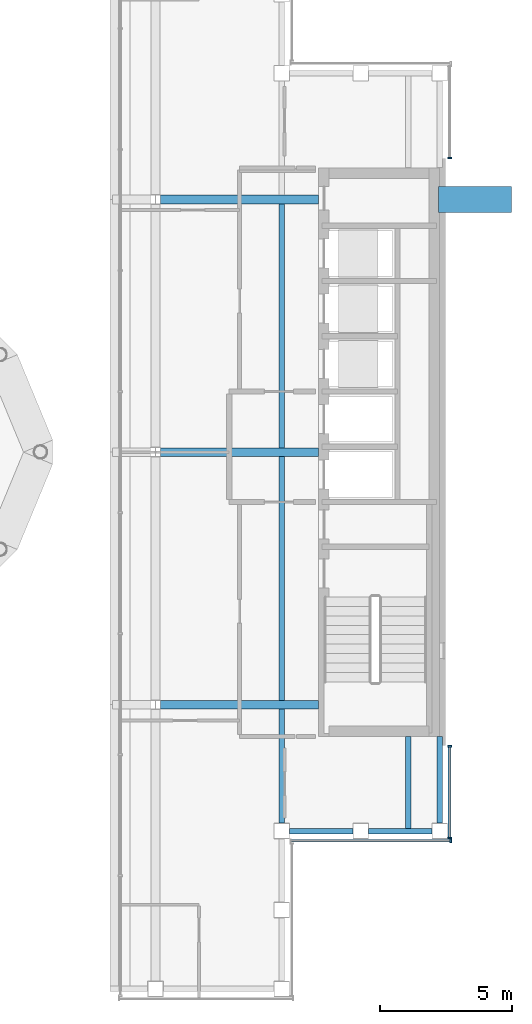
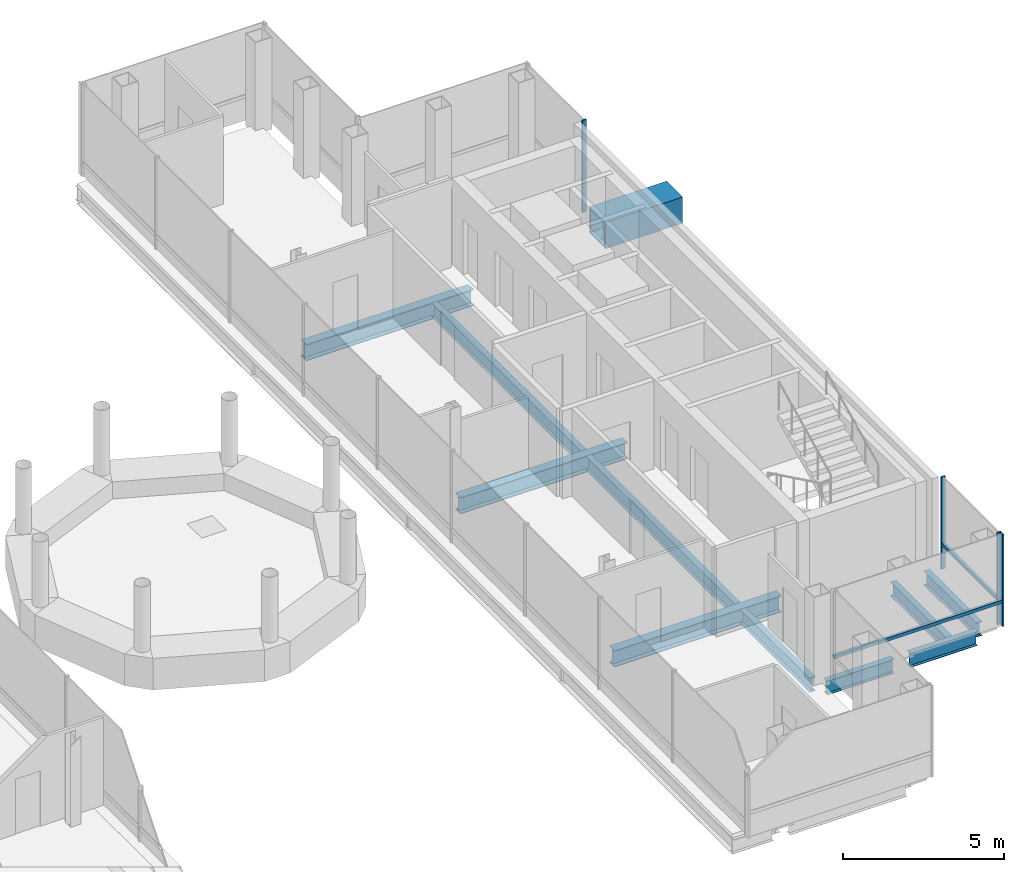
# One storey, part 7 of 16: 11 beams, 6 members, 3 elements without a shape of their own.
"""IFC4 building model written with IfcOpenShell, lengths in metres."""

from ifc_helpers import new_model, si_unit, direction, frame, origin, origin_2d, place, context, subcontext, project, spatial, rectangle, hollow_rectangle, i_section, extrude, material, material_profile, profile_set, type_object, element, aggregate, save


model = new_model("IFC4")

# Units and contexts
model_context = context("Model", 3, precision=1e-05, world=origin(), true_north=direction((0.0, 1.0)))
body_context = subcontext(model_context, "Body", "Model", "MODEL_VIEW")
ifc_project = project(units=[si_unit("LENGTHUNIT", "METRE"), si_unit("AREAUNIT", "SQUARE_METRE"), si_unit("VOLUMEUNIT", "CUBIC_METRE"), si_unit("PLANEANGLEUNIT", "RADIAN"), si_unit("MASSUNIT", "GRAM", prefix="KILO")], contexts=[model_context])

# Site, building, storey
site_placement = place(None, origin())
site = spatial("IfcSite", under=ifc_project, at=site_placement, CompositionType="ELEMENT")
building_placement = place(site_placement, origin())
building = spatial("IfcBuilding", under=site, at=building_placement, Name="Cobrizo Arcos Hotel Tower", CompositionType="ELEMENT")
storey_placement = place(building_placement, frame((0.0, 0.0, 272.5)))
storey = spatial("IfcBuildingStorey", under=building, at=storey_placement, Name="L72", CompositionType="ELEMENT", Elevation=272.5)

# Beam
ifc_material_1 = material(Name="Steel ASTM A572 Grade 50", Category="steel")
ifc_material_profile_1 = material_profile(ifc_material_1, hollow_rectangle(XDim=1.0, YDim=1.0, WallThickness=0.06005859375, at=origin_2d()), Name="BOX 1000X1000X60")
ifc_profile_set_1 = profile_set([ifc_material_profile_1], Name="Steel ASTM A572 Grade 50")
beam_type_1 = type_object("IfcBeamType", Name="BOX 1000X1000X60 brace connector strut", PredefinedType="BEAM", material=ifc_profile_set_1)
beam_1_placement = place(storey_placement, frame((20.35009765625, 9.60009765625, 0.5), z_axis=(1.0, 0.0, 0.0), x_axis=(0.0, 1.0, 0.0)))
element("IfcBeam", 1, at=beam_1_placement, inside=storey, type_object=beam_type_1, Name="Perimeter brace stub BS1, zone Z5, east face, offset +9.60 m, L72", PredefinedType="BEAM", context=body_context, shape_type="SweptSolid", body=[
    extrude(hollow_rectangle(XDim=1.0, YDim=1.0, WallThickness=0.06005859375, at=origin_2d()), origin(), (0.0, 0.0, 1.0), 2.77001953125),
])

# Curtain wall, member
ifc_material_2 = material(Name="Aluminium 6063-T6 anodised bronze", Category="aluminium")
curtain_wall_type = type_object("IfcCurtainWallType", Name="CW-A guest facade", PredefinedType="NOTDEFINED", material=ifc_material_2)
curtain_wall_1_placement = place(storey_placement, origin())
curtain_wall_1 = element("IfcCurtainWall", 2, at=curtain_wall_1_placement, inside=storey, type_object=curtain_wall_type, Name="CW-A L72 S face", PredefinedType="NOTDEFINED")
ifc_material_profile_2 = material_profile(ifc_material_2, rectangle(XDim=0.14990234375, YDim=0.06005859375, at=origin_2d()), Name="CW-A mullion 150x60")
ifc_profile_set_2 = profile_set([ifc_material_profile_2], Name="Aluminium 6063-T6 anodised bronze")
member_type_1 = type_object("IfcMemberType", Name="CW-A mullion 150x60", PredefinedType="MULLION", material=ifc_profile_set_2)
member_1_placement = place(storey_placement, frame((20.820068359375, -14.77490234375, 0.0), z_axis=(0.0, 0.0, 1.0), x_axis=(0.0, -1.0, 0.0)))
member_1 = element("IfcMember", 3, at=member_1_placement, type_object=member_type_1, Name="CW-A mullion 2", PredefinedType="MULLION", context=body_context, shape_type="SweptSolid", body=[
    extrude(rectangle(XDim=0.14990234375, YDim=0.06005859375, at=origin_2d()), origin(), (0.0, 0.0, 1.0), 3.5),
])

# Curtain wall, members
curtain_wall_2_placement = place(storey_placement, origin())
curtain_wall_2 = element("IfcCurtainWall", 4, at=curtain_wall_2_placement, inside=storey, type_object=curtain_wall_type, Name="CW-A L72 E face", PredefinedType="NOTDEFINED")
member_2_placement = place(storey_placement, frame((20.77490234375, -14.669921875, 0.0), z_axis=(0.0, 0.0, 1.0), x_axis=(1.0, 0.0, 0.0)))
member_2 = element("IfcMember", 5, at=member_2_placement, type_object=member_type_1, Name="CW-A mullion 1", PredefinedType="MULLION", context=body_context, shape_type="SweptSolid", body=[
    extrude(rectangle(XDim=0.14990234375, YDim=0.06005859375, at=origin_2d()), origin(), (0.0, 0.0, 1.0), 3.5),
])
member_3_placement = place(storey_placement, frame((20.77490234375, -11.179931640625, 0.0), z_axis=(0.0, 0.0, 1.0), x_axis=(1.0, 0.0, 0.0)))
member_3 = element("IfcMember", 6, at=member_3_placement, type_object=member_type_1, Name="CW-A mullion 2", PredefinedType="MULLION", context=body_context, shape_type="SweptSolid", body=[
    extrude(rectangle(XDim=0.14990234375, YDim=0.06005859375, at=origin_2d()), origin(), (0.0, 0.0, 1.0), 3.5),
])

# Curtain wall, member
curtain_wall_3_placement = place(storey_placement, origin())
curtain_wall_3 = element("IfcCurtainWall", 7, at=curtain_wall_3_placement, inside=storey, type_object=curtain_wall_type, Name="CW-A L72 E face", PredefinedType="NOTDEFINED")
member_4_placement = place(storey_placement, frame((20.77490234375, 11.179931640625, 0.0), z_axis=(0.0, 0.0, 1.0), x_axis=(1.0, 0.0, 0.0)))
member_4 = element("IfcMember", 8, at=member_4_placement, type_object=member_type_1, Name="CW-A mullion 1", PredefinedType="MULLION", context=body_context, shape_type="SweptSolid", body=[
    extrude(rectangle(XDim=0.14990234375, YDim=0.06005859375, at=origin_2d()), origin(), (0.0, 0.0, 1.0), 3.5),
])
aggregate(curtain_wall_3, [member_4])

# Member
ifc_material_profile_3 = material_profile(ifc_material_2, rectangle(XDim=0.10009765625, YDim=0.1201171875, at=origin_2d()), Name="CW-A transom 120x100")
ifc_profile_set_3 = profile_set([ifc_material_profile_3], Name="Aluminium 6063-T6 anodised bronze")
member_type_2 = type_object("IfcMemberType", Name="CW-A transom 120x100", PredefinedType="USERDEFINED", material=ifc_profile_set_3)
member_5_placement = place(storey_placement, frame((14.760009765625, -14.77490234375, 0.929931640625), z_axis=(1.0, 0.0, 0.0), x_axis=(0.0, 1.0, 0.0)))
member_5 = element("IfcMember", 9, at=member_5_placement, type_object=member_type_2, Name="CW-A transom 2268", ObjectType="TRANSOM", PredefinedType="USERDEFINED", context=body_context, shape_type="SweptSolid", body=[
    extrude(rectangle(XDim=0.10009765625, YDim=0.1201171875, at=origin_2d()), origin(), (0.0, 0.0, 1.0), 6.030029296875),
])

aggregate(curtain_wall_1, [member_1, member_5])

member_6_placement = place(storey_placement, frame((20.77490234375, -14.639892578125, 0.929931640625), z_axis=(0.0, 1.0, 0.0), x_axis=(-1.0, 0.0, 0.0)))
member_6 = element("IfcMember", 10, at=member_6_placement, type_object=member_type_2, Name="CW-A transom 2269", ObjectType="TRANSOM", PredefinedType="USERDEFINED", context=body_context, shape_type="SweptSolid", body=[
    extrude(rectangle(XDim=0.10009765625, YDim=0.1201171875, at=origin_2d()), origin(), (0.0, 0.0, 1.0), 3.429931640625),
])

aggregate(curtain_wall_2, [member_2, member_3, member_6])

# Beams
ifc_material_3 = material(Name="Steel ASTM A992 Grade 50", Category="steel")
ifc_material_profile_4 = material_profile(ifc_material_3, i_section(OverallWidth=0.209228515625, OverallDepth=0.533447265625, WebThickness=0.01025390625, FlangeThickness=0.015625, at=origin_2d()), Name="W21X62")
ifc_profile_set_4 = profile_set([ifc_material_profile_4], Name="Steel ASTM A992 Grade 50")
beam_type_2 = type_object("IfcBeamType", Name="W21X62 joist", PredefinedType="JOIST", material=ifc_profile_set_4)
beam_2_placement = place(storey_placement, frame((14.39990234375, -14.10009765625, -0.416748046875), z_axis=(0.0, 1.0, 0.0), x_axis=(-1.0, 0.0, 0.0)))
element("IfcBeam", 11, at=beam_2_placement, inside=storey, type_object=beam_type_2, Name="Floor joist J1, L72, no. 007", PredefinedType="JOIST", context=body_context, shape_type="SweptSolid", body=[
    extrude(i_section(OverallWidth=0.209228515625, OverallDepth=0.533447265625, WebThickness=0.01025390625, FlangeThickness=0.015625, at=origin_2d()), origin(), (0.0, 0.0, 1.0), 4.336181640625),
])
for number, where, z_axis, x_axis, name in (
    (12, (14.39990234375, -9.43603515625, -0.416748046875), (0.0, 1.0, 0.0), (-1.0, 0.0, 0.0), "Floor joist J1, L72, no. 008"),
    (13, (14.39990234375, 0.163818359375, -0.416748046875), (0.0, 1.0, 0.0), (-1.0, 0.0, 0.0), "Floor joist J1, L72, no. 009"),
):
    element("IfcBeam", number, at=place(storey_placement, frame(where, z_axis=z_axis, x_axis=x_axis)), inside=storey, type_object=beam_type_2, Name=name, PredefinedType="JOIST", context=body_context, shape_type="SweptSolid", body=[
        extrude(i_section(OverallWidth=0.209228515625, OverallDepth=0.533447265625, WebThickness=0.01025390625, FlangeThickness=0.015625, at=origin_2d()), origin(), (0.0, 0.0, 1.0), 9.272216796875),
    ])
beam_3_placement = place(storey_placement, frame((19.199951171875, -14.31005859375, -0.416748046875), z_axis=(0.0, 1.0, 0.0), x_axis=(-1.0, 0.0, 0.0)))
element("IfcBeam", 14, at=beam_3_placement, inside=storey, type_object=beam_type_2, Name="Floor joist J1, L72, no. 011", PredefinedType="JOIST", context=body_context, shape_type="SweptSolid", body=[
    extrude(i_section(OverallWidth=0.209228515625, OverallDepth=0.533447265625, WebThickness=0.01025390625, FlangeThickness=0.015625, at=origin_2d()), origin(), (0.0, 0.0, 1.0), 3.5),
])
ifc_material_profile_5 = material_profile(ifc_material_3, i_section(OverallWidth=0.209228515625, OverallDepth=0.533447265625, WebThickness=0.01025390625, FlangeThickness=0.015625, at=origin_2d()), Name="W21X62")
ifc_profile_set_5 = profile_set([ifc_material_profile_5], Name="Steel ASTM A992 Grade 50")
beam_type_3 = type_object("IfcBeamType", Name="W21X62 spandrel", PredefinedType="SPANDREL", material=ifc_profile_set_5)
beam_4_placement = place(storey_placement, frame((20.39990234375, -10.81005859375, -0.416748046875), z_axis=(0.0, -1.0, 0.0), x_axis=(1.0, 0.0, 0.0)))
element("IfcBeam", 15, at=beam_4_placement, inside=storey, type_object=beam_type_3, Name="Spandrel beam W21X62, L72, no. 022", PredefinedType="SPANDREL", context=body_context, shape_type="SweptSolid", body=[
    extrude(i_section(OverallWidth=0.209228515625, OverallDepth=0.533447265625, WebThickness=0.01025390625, FlangeThickness=0.015625, at=origin_2d()), origin(), (0.0, 0.0, 1.0), 3.2900390625),
])
for number, where, z_axis, x_axis, name in (
    (16, (20.10009765625, -14.39990234375, -0.416748046875), (-1.0, 0.0, 0.0), (0.0, -1.0, 0.0), "Spandrel beam W21X62, L72, no. 023"),
    (17, (17.10009765625, -14.39990234375, -0.416748046875), (-1.0, 0.0, 0.0), (0.0, -1.0, 0.0), "Spandrel beam W21X62, L72, no. 024"),
):
    element("IfcBeam", number, at=place(storey_placement, frame(where, z_axis=z_axis, x_axis=x_axis)), inside=storey, type_object=beam_type_3, Name=name, PredefinedType="SPANDREL", context=body_context, shape_type="SweptSolid", body=[
        extrude(i_section(OverallWidth=0.209228515625, OverallDepth=0.533447265625, WebThickness=0.01025390625, FlangeThickness=0.015625, at=origin_2d()), origin(), (0.0, 0.0, 1.0), 2.400146484375),
    ])
ifc_material_profile_6 = material_profile(ifc_material_3, i_section(OverallWidth=0.32763671875, OverallDepth=0.622314453125, WebThickness=0.015380859375, FlangeThickness=0.0244140625, at=origin_2d()), Name="W24X131")
ifc_profile_set_6 = profile_set([ifc_material_profile_6], Name="Steel ASTM A992 Grade 50")
beam_type_4 = type_object("IfcBeamType", Name="W24X131 girder", PredefinedType="BEAM", material=ifc_profile_set_6)
for number, where, z_axis, x_axis, name in (
    (18, (9.7841796875, -9.60009765625, -0.461181640625), (1.0, 0.0, 0.0), (0.0, 1.0, 0.0), "Floor girder G1, L72, no. 004"),
    (19, (9.7841796875, 0.0, -0.461181640625), (1.0, 0.0, 0.0), (0.0, 1.0, 0.0), "Floor girder G1, L72, no. 008"),
    (20, (9.7841796875, 9.60009765625, -0.461181640625), (1.0, 0.0, 0.0), (0.0, 1.0, 0.0), "Floor girder G1, L72, no. 012"),
):
    element("IfcBeam", number, at=place(storey_placement, frame(where, z_axis=z_axis, x_axis=x_axis)), inside=storey, type_object=beam_type_4, Name=name, PredefinedType="BEAM", context=body_context, shape_type="SweptSolid", body=[
        extrude(i_section(OverallWidth=0.32763671875, OverallDepth=0.622314453125, WebThickness=0.015380859375, FlangeThickness=0.0244140625, at=origin_2d()), origin(), (0.0, 0.0, 1.0), 6.005859375),
    ])

save(model, "model.ifc")
